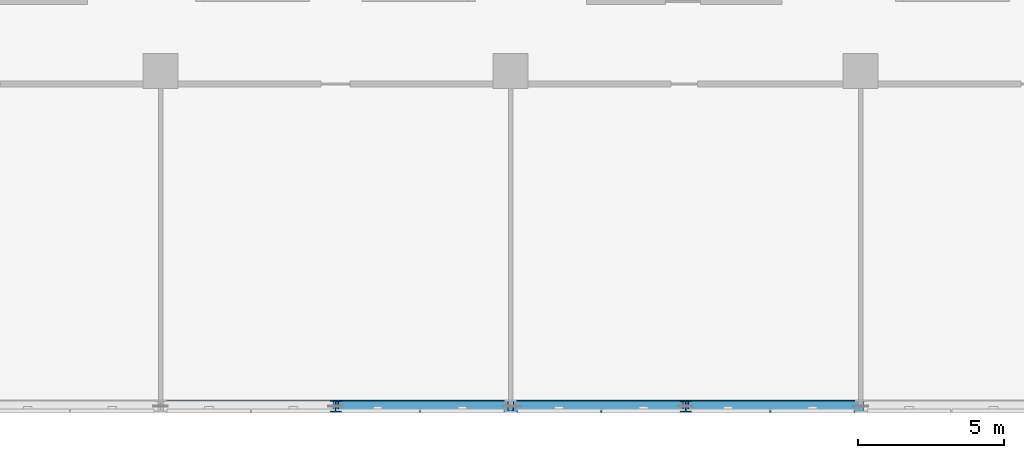
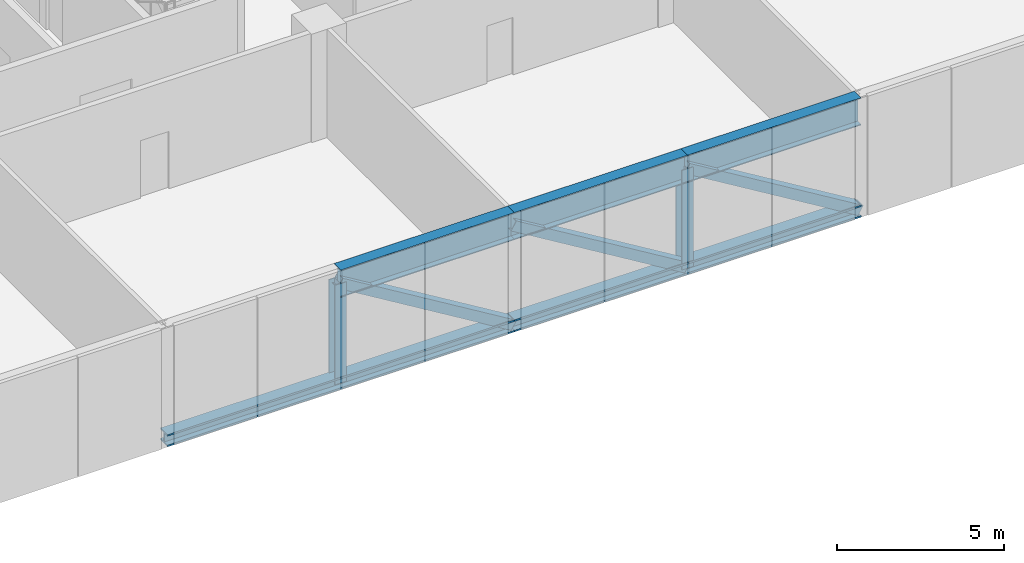
# One storey, part 4 of 26: 10 members.
"""IFC4 building model written with IfcOpenShell, lengths in metres."""

import ifcopenshell
import ifcopenshell.guid

model = None  # the IFC model being written
_history = None  # IfcOwnerHistory: only IFC2X3 demands one
_inside = {}  # id of a spatial element -> (the spatial element, [elements in it])
_under = {}  # id of a project, library or spatial element -> (it, [spatial elements below it])
_declared = {}  # id of a project -> (the project, [libraries it declares])
_typed = {}  # id of a type object -> (the type object, [elements of that type])
_made_of = {}  # id of a material, layer set ... -> (it, [elements and type objects made of it])


def new_model(schema):
    """Start an empty IFC model of exactly this schema.

    Asked for "IFC4X3", IfcOpenShell would pick the latest addendum, in which some entities
    have other attributes; the version numbers below select the first issue.
    IFC2X3 requires an IfcOwnerHistory on every rooted entity: one is made here for all.
    """
    global model, _history
    if schema == "IFC4X3":
        model = ifcopenshell.file(schema_version=(4, 3, 0, 0))
    else:
        model = ifcopenshell.file(schema=schema)
    _inside.clear()
    _under.clear()
    _declared.clear()
    _typed.clear()
    _made_of.clear()
    _history = None
    if model.schema == "IFC2X3":
        org = make("IfcOrganization", Name="unknown")
        user = make(
            "IfcPersonAndOrganization",
            ThePerson=make("IfcPerson", FamilyName="unknown"),
            TheOrganization=org,
        )
        app = make(
            "IfcApplication",
            ApplicationDeveloper=org,
            Version="unknown",
            ApplicationFullName="unknown",
            ApplicationIdentifier="unknown",
        )
        _history = make(
            "IfcOwnerHistory",
            OwningUser=user,
            OwningApplication=app,
            ChangeAction="ADDED",
            CreationDate=0,
        )
    return model


def make(cls, **values):
    """One entity of the class cls with the attributes given. An attribute that is None is left unset."""
    return model.create_entity(
        cls, **{name: value for name, value in values.items() if value is not None}
    )


def rooted(cls, **values):
    """An entity with a GlobalId (a new one), such as an element, a storey or a relation."""
    return make(cls, GlobalId=ifcopenshell.guid.new(), OwnerHistory=_history, **values)


def si_unit(unit_type, name, prefix=None):
    """IfcSIUnit, for example si_unit("LENGTHUNIT", "METRE", prefix="MILLI")."""
    return make("IfcSIUnit", UnitType=unit_type, Prefix=prefix, Name=name)


def assignment(units):
    """IfcUnitAssignment: the units of a project."""
    return None if units is None else make("IfcUnitAssignment", Units=units)


def point(xyz):
    """IfcCartesianPoint."""
    return None if xyz is None else make("IfcCartesianPoint", Coordinates=xyz)


def direction(xyz):
    """IfcDirection."""
    return None if xyz is None else make("IfcDirection", DirectionRatios=xyz)


def frame(location, z_axis=None, x_axis=None):
    """IfcAxis2Placement3D, a coordinate frame: its origin and axes. An axis left out is left unset."""
    return make(
        "IfcAxis2Placement3D",
        Location=point(location),
        Axis=direction(z_axis),
        RefDirection=direction(x_axis),
    )


def frame_2d(location, x_axis=None):
    """IfcAxis2Placement2D, a coordinate frame in the plane: its origin and x axis."""
    return make(
        "IfcAxis2Placement2D", Location=point(location), RefDirection=direction(x_axis)
    )


def origin():
    """The frame at (0, 0, 0) with its axes left unset."""
    return frame((0.0, 0.0, 0.0))


def origin_2d():
    """The frame at (0, 0) in the plane with its x axis left unset."""
    return frame_2d((0.0, 0.0))


def place(relative_to, where):
    """IfcLocalPlacement: puts the frame where relative to a parent placement (None: the world)."""
    return make(
        "IfcLocalPlacement", PlacementRelTo=relative_to, RelativePlacement=where
    )


def context(
    kind, dimensions, precision=None, world=None, true_north=None, identifier=None
):
    """IfcGeometricRepresentationContext, for example the 3D "Model" context."""
    return make(
        "IfcGeometricRepresentationContext",
        ContextIdentifier=identifier,
        ContextType=kind,
        CoordinateSpaceDimension=dimensions,
        Precision=precision,
        WorldCoordinateSystem=world,
        TrueNorth=true_north,
    )


def subcontext(parent, identifier, kind, view, scale=None):
    """IfcGeometricRepresentationSubContext, for example "Body" below "Model"."""
    return make(
        "IfcGeometricRepresentationSubContext",
        ContextIdentifier=identifier,
        ContextType=kind,
        ParentContext=parent,
        TargetScale=scale,
        TargetView=view,
    )


def project(units=None, contexts=None):
    """IfcProject with its units and contexts."""
    return rooted(
        "IfcProject",
        Name="project",
        RepresentationContexts=contexts,
        UnitsInContext=assignment(units),
    )


def spatial(cls, under=None, at=None, **own):
    """A site, building, storey or space (cls), placed at a placement, below another one or the project."""
    s = rooted(cls, ObjectPlacement=at, **own)
    if under is not None:
        _under.setdefault(under.id(), (under, []))[1].append(s)
    return s


def profile(cls, at=None, kind="AREA", **sizes):
    """A parametric profile (cls). Its sizes go by their IFC names, for example OverallWidth=200.0."""
    return make(cls, ProfileType=kind, Position=at, **sizes)


def hollow_rectangle(**sizes):
    """IfcRectangleHollowProfileDef."""
    return profile("IfcRectangleHollowProfileDef", **sizes)


def i_section(**sizes):
    """IfcIShapeProfileDef."""
    return profile("IfcIShapeProfileDef", **sizes)


def extrude(swept, where, along, depth):
    """IfcExtrudedAreaSolid: the profile swept, set in the frame where, extruded along a direction by depth."""
    return make(
        "IfcExtrudedAreaSolid",
        SweptArea=swept,
        Position=where,
        ExtrudedDirection=direction(along),
        Depth=depth,
    )


def shape(context_of_items, identifier, shape_type, items):
    """IfcShapeRepresentation: the items that make up one representation, for example the "Body"."""
    return make(
        "IfcShapeRepresentation",
        ContextOfItems=context_of_items,
        RepresentationIdentifier=identifier,
        RepresentationType=shape_type,
        Items=items,
    )


def material(Name=None, Category=None):
    """IfcMaterial."""
    return make("IfcMaterial", Name=Name, Category=Category)


def material_profile(
    of_material, cross_section, Name=None, Category=None, Priority=None
):
    """IfcMaterialProfile: a cross section and its material."""
    return make(
        "IfcMaterialProfile",
        Name=Name,
        Material=of_material,
        Profile=cross_section,
        Priority=Priority,
        Category=Category,
    )


def profile_set(profiles, Name=None, composite=None):
    """IfcMaterialProfileSet."""
    return make(
        "IfcMaterialProfileSet",
        Name=Name,
        MaterialProfiles=profiles,
        CompositeProfile=composite,
    )


def made_of(thing, what):
    """Note that an element or type object is made of a material, layer set ...; save() writes the relation."""
    if what is not None:
        _made_of.setdefault(what.id(), (what, []))[1].append(thing)
    return thing


def type_object(cls, material=None, **own):
    """A type object (cls), such as IfcWallType, which elements share."""
    return made_of(rooted(cls, **own), material)


def element(
    cls,
    number,
    at=None,
    inside=None,
    cuts=None,
    type_object=None,
    material=None,
    context=None,
    identifier="Body",
    shape_type=None,
    held_by="IfcProductDefinitionShape",
    body=None,
    shapes=None,
    **own,
):
    """One element of the class cls, such as IfcWall. Its Tag is "e" and its number.

    at: its placement. inside: the storey or other place that contains it. cuts: it is an
    opening in that element (IfcRelVoidsElement). A single representation is given by context,
    identifier, shape_type and body (its items); several are given by shapes. held_by: the class
    of the entity that holds the representations. save() writes the other relations.
    """
    e = rooted(cls, Tag="e%d" % number, ObjectPlacement=at, **own)
    if body is not None:
        shapes = [shape(context, identifier, shape_type, body)]
    if shapes is not None:
        e.Representation = make(held_by, Representations=shapes)
    if inside is not None:
        _inside.setdefault(inside.id(), (inside, []))[1].append(e)
    if cuts is not None:
        rooted(
            "IfcRelVoidsElement", RelatingBuildingElement=cuts, RelatedOpeningElement=e
        )
    if type_object is not None:
        _typed.setdefault(type_object.id(), (type_object, []))[1].append(e)
    return made_of(e, material)


def aggregate(whole, parts):
    """IfcRelAggregates: a whole, such as a stair, and the parts it consists of."""
    return rooted("IfcRelAggregates", RelatingObject=whole, RelatedObjects=parts)


def save(model, path):
    """Write the relations noted so far, then the file.

    IfcRelAggregates (storeys below a building ...), IfcRelContainedInSpatialStructure (elements
    in a storey), IfcRelDefinesByType, IfcRelAssociatesMaterial and IfcRelDeclares: one each for
    every whole, place, type object, material and project.
    """
    for whole, parts in _under.values():
        aggregate(whole, parts)
    for where, things in _inside.values():
        rooted(
            "IfcRelContainedInSpatialStructure",
            RelatedElements=things,
            RelatingStructure=where,
        )
    for kind, things in _typed.values():
        rooted("IfcRelDefinesByType", RelatedObjects=things, RelatingType=kind)
    for what, things in _made_of.values():
        rooted("IfcRelAssociatesMaterial", RelatedObjects=things, RelatingMaterial=what)
    for by, libraries in _declared.values():
        rooted("IfcRelDeclares", RelatingContext=by, RelatedDefinitions=libraries)
    model.write(path)


model = new_model("IFC4")

# Units and contexts
model_context = context("Model", 3, precision=1e-05, world=origin(), true_north=direction((0.0, 1.0)))
body_context = subcontext(model_context, "Body", "Model", "MODEL_VIEW")
ifc_project = project(units=[si_unit("LENGTHUNIT", "METRE"), si_unit("AREAUNIT", "SQUARE_METRE"), si_unit("VOLUMEUNIT", "CUBIC_METRE"), si_unit("PLANEANGLEUNIT", "RADIAN"), si_unit("MASSUNIT", "GRAM", prefix="KILO")], contexts=[model_context])

# Site, building, storey
site_placement = place(None, origin())
site = spatial("IfcSite", under=ifc_project, at=site_placement, CompositionType="ELEMENT")
building_placement = place(site_placement, origin())
building = spatial("IfcBuilding", under=site, at=building_placement, Name="Mahtab Terrace Research Tower", CompositionType="ELEMENT")
storey_placement = place(building_placement, frame((0.0, 0.0, 189.60009765625)))
storey = spatial("IfcBuildingStorey", under=building, at=storey_placement, Name="L45", CompositionType="ELEMENT", Elevation=189.60009765625)

# Members
ifc_material_1 = material(Name="Steel ASTM A500 Gr C", Category="steel")
ifc_material_profile_1 = material_profile(ifc_material_1, hollow_rectangle(XDim=0.355712890625, YDim=0.355712890625, WallThickness=0.015869140625, at=origin_2d()), Name="HSS14X14X5/8")
ifc_profile_set_1 = profile_set([ifc_material_profile_1], Name="Steel ASTM A500 Gr C")
member_type_1 = type_object("IfcMemberType", Name="HSS 14x14x5/8 brace TD141458", PredefinedType="BRACE", material=ifc_profile_set_1)
for number, where, z_axis, x_axis, name in (
    (1, (6.0, -23.0, -0.177734375), (-0.855144546512, 0.0, 0.518389626218), (0.0, -1.0, 0.0), "Transfer truss T5 diagonal 042"),
    (2, (12.0, -23.0, -0.177734375), (-0.855144546512, 0.0, 0.518389626218), (0.0, -1.0, 0.0), "Transfer truss T5 diagonal 044"),
    (3, (18.0, -23.0, -0.177734375), (-0.855144546512, 0.0, 0.518389626218), (0.0, -1.0, 0.0), "Transfer truss T5 diagonal 046"),
):
    element("IfcMember", number, at=place(storey_placement, frame(where, z_axis=z_axis, x_axis=x_axis)), inside=storey, type_object=member_type_1, Name=name, PredefinedType="BRACE", context=body_context, shape_type="SweptSolid", body=[
        extrude(hollow_rectangle(XDim=0.355712890625, YDim=0.355712890625, WallThickness=0.015869140625, at=origin_2d()), origin(), (0.0, 0.0, 1.0), 7.016357421875),
    ])
ifc_material_2 = material(Name="Steel ASTM A992 Gr 50", Category="steel")
ifc_material_profile_2 = material_profile(ifc_material_2, i_section(OverallWidth=0.396240234375, OverallDepth=0.381103515625, WebThickness=0.018798828125, FlangeThickness=0.0302734375, at=origin_2d()), Name="W14X159")
ifc_profile_set_2 = profile_set([ifc_material_profile_2], Name="Steel ASTM A992 Gr 50")
member_type_2 = type_object("IfcMemberType", Name="W14x159 post TP14159", PredefinedType="POST", material=ifc_profile_set_2)
for number, where, z_axis, x_axis, name in (
    (4, (0.0, -23.0, -0.177734375), (0.0, 0.0, 1.0), (1.0, 0.0, 0.0), "Transfer truss T5 post 039"),
    (5, (12.0, -23.0, -0.177734375), (0.0, 0.0, 1.0), (1.0, 0.0, 0.0), "Transfer truss T5 post 043"),
):
    element("IfcMember", number, at=place(storey_placement, frame(where, z_axis=z_axis, x_axis=x_axis)), inside=storey, type_object=member_type_2, Name=name, PredefinedType="POST", context=body_context, shape_type="SweptSolid", body=[
        extrude(i_section(OverallWidth=0.396240234375, OverallDepth=0.381103515625, WebThickness=0.018798828125, FlangeThickness=0.0302734375, at=origin_2d()), origin(), (0.0, 0.0, 1.0), 3.63720703125),
    ])
ifc_material_profile_3 = material_profile(ifc_material_2, i_section(OverallWidth=0.41650390625, OverallDepth=0.444580078125, WebThickness=0.0390625, FlangeThickness=0.062744140625, at=origin_2d()), Name="W14X342")
ifc_profile_set_3 = profile_set([ifc_material_profile_3], Name="Steel ASTM A992 Gr 50")
member_type_3 = type_object("IfcMemberType", Name="W14x342 chord TC14342", PredefinedType="CHORD", material=ifc_profile_set_3)
for number, where, z_axis, x_axis, name in (
    (6, (-6.0, -23.0, -0.177734375), (1.0, 0.0, 0.0), (0.0, 1.0, 0.0), "Transfer truss T5 bottom chord 022"),
    (7, (6.0, -23.0, -0.177734375), (1.0, 0.0, 0.0), (0.0, 1.0, 0.0), "Transfer truss T5 bottom chord 023"),
):
    element("IfcMember", number, at=place(storey_placement, frame(where, z_axis=z_axis, x_axis=x_axis)), inside=storey, type_object=member_type_3, Name=name, PredefinedType="CHORD", context=body_context, shape_type="SweptSolid", body=[
        extrude(i_section(OverallWidth=0.41650390625, OverallDepth=0.444580078125, WebThickness=0.0390625, FlangeThickness=0.062744140625, at=origin_2d()), origin(), (0.0, 0.0, 1.0), 12.0),
    ])
ifc_material_profile_4 = material_profile(ifc_material_2, i_section(OverallWidth=0.4013671875, OverallDepth=1.000732421875, WebThickness=0.01904296875, FlangeThickness=0.0361328125, at=origin_2d()), Name="W40X249")
ifc_profile_set_4 = profile_set([ifc_material_profile_4], Name="Steel ASTM A992 Gr 50")
member_type_4 = type_object("IfcMemberType", Name="W40x249 chord TT40249", PredefinedType="CHORD", material=ifc_profile_set_4)
for number, where, z_axis, x_axis, name in (
    (8, (0.0, -23.0, 3.45947265625), (1.0, 0.0, 0.0), (0.0, 1.0, 0.0), "Transfer truss T5 top chord 028"),
    (9, (6.0, -23.0, 3.45947265625), (1.0, 0.0, 0.0), (0.0, 1.0, 0.0), "Transfer truss T5 top chord 029"),
    (10, (12.0, -23.0, 3.45947265625), (1.0, 0.0, 0.0), (0.0, 1.0, 0.0), "Transfer truss T5 top chord 030"),
):
    element("IfcMember", number, at=place(storey_placement, frame(where, z_axis=z_axis, x_axis=x_axis)), inside=storey, type_object=member_type_4, Name=name, PredefinedType="CHORD", context=body_context, shape_type="SweptSolid", body=[
        extrude(i_section(OverallWidth=0.4013671875, OverallDepth=1.000732421875, WebThickness=0.01904296875, FlangeThickness=0.0361328125, at=origin_2d()), origin(), (0.0, 0.0, 1.0), 6.0),
    ])

save(model, "model.ifc")
